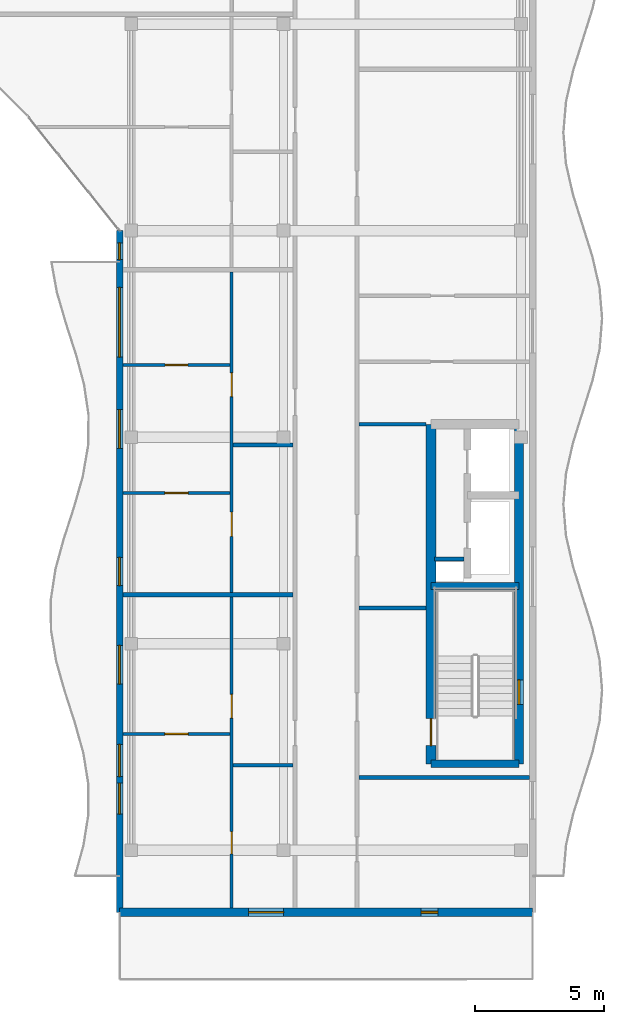
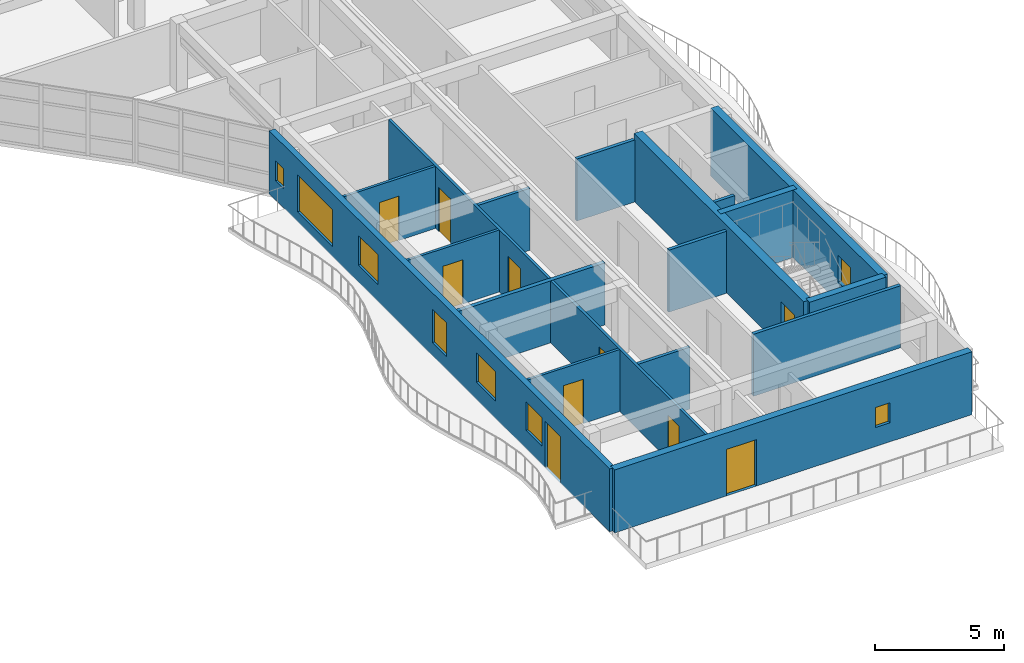
# One storey, part 19 of 30: 18 walls, 10 doors, 8 windows, 18 openings.
"""IFC4 building model written with IfcOpenShell, lengths in metres."""

from ifc_helpers import new_model, si_unit, direction, frame, frame_2d, origin, place, context, subcontext, project, spatial, rectangle, extrude, material, layer, layer_set, type_object, element, fill, save


model = new_model("IFC4")

# Units and contexts
model_context = context("Model", 3, precision=1e-05, world=origin(), true_north=direction((0.0, 1.0)))
body_context = subcontext(model_context, "Body", "Model", "MODEL_VIEW")
ifc_project = project(units=[si_unit("LENGTHUNIT", "METRE"), si_unit("AREAUNIT", "SQUARE_METRE"), si_unit("VOLUMEUNIT", "CUBIC_METRE"), si_unit("PLANEANGLEUNIT", "RADIAN"), si_unit("MASSUNIT", "GRAM", prefix="KILO")], contexts=[model_context])

# Site, building, storey
site_placement = place(None, origin())
site = spatial("IfcSite", under=ifc_project, at=site_placement, CompositionType="ELEMENT")
building_placement = place(site_placement, origin())
building = spatial("IfcBuilding", under=site, at=building_placement, Name="Keldmere Railside Commons", CompositionType="ELEMENT")
storey_placement = place(building_placement, frame((0.0, 0.0, 36.159912109375)))
storey = spatial("IfcBuildingStorey", under=building, at=storey_placement, Name="L11", CompositionType="ELEMENT", Elevation=36.159912109375)

# Wall
ifc_material_1 = material(Name="Acoustic Gypsum Board Partition", Category="gypsum")
ifc_layer_1 = layer(ifc_material_1, 0.179931640625, Name="Acoustic Demising Partition 180")
ifc_layer_set_1 = layer_set([ifc_layer_1], Name="Acoustic Gypsum Board Partition")
wall_type_1 = type_object("IfcWallType", Name="Acoustic Demising Partition 180", PredefinedType="PARTITIONING", material=ifc_layer_set_1)
wall_1_placement = place(storey_placement, frame((168.1298828125, 73.89990234375, 0.0), z_axis=(0.0, 0.0, 1.0), x_axis=(1.0, 0.0, 0.0)))
element("IfcWall", 1, at=wall_1_placement, inside=storey, type_object=wall_type_1, Name="IW-1 IW-L11-1861", PredefinedType="PARTITIONING", context=body_context, shape_type="SweptSolid", body=[
    extrude(rectangle(XDim=6.590087890625, YDim=0.179931640625, at=frame_2d((3.294921875, 0.0))), origin(), (0.0, 0.0, 1.0), 2.93505859375),
])

# Wall, openings, doors
ifc_layer_2 = layer(ifc_material_1, 0.1201171875, Name="Apartment Interior Partition 120")
ifc_layer_set_2 = layer_set([ifc_layer_2], Name="Acoustic Gypsum Board Partition")
wall_type_2 = type_object("IfcWallType", Name="Apartment Interior Partition 120", PredefinedType="PARTITIONING", material=ifc_layer_set_2)
wall_2_placement = place(storey_placement, frame((172.340087890625, 61.760009765625, 0.0), z_axis=(0.0, 0.0, 1.0), x_axis=(0.0, 1.0, 0.0)))
wall_2 = element("IfcWall", 2, at=wall_2_placement, inside=storey, type_object=wall_type_2, Name="IW-4 IW-L11-1864", PredefinedType="PARTITIONING", context=body_context, shape_type="SweptSolid", body=[
    extrude(rectangle(XDim=12.050048828125, YDim=0.1201171875, at=frame_2d((6.02490234375, 0.0))), origin(), (0.0, 0.0, 1.0), 2.93505859375),
])
opening_1_placement = place(wall_2_placement, frame((2.105224609375, 0.0, 0.0)))
opening_1 = element("IfcOpeningElement", 3, at=opening_1_placement, cuts=wall_2, Name="Opening ID-04", PredefinedType="OPENING", context=body_context, shape_type="SweptSolid", body=[
    extrude(rectangle(XDim=0.860107421875, YDim=2.10009765625, at=frame_2d((0.43017578125, 1.050048828125))), frame((0.0, 0.070068359375, 0.0), z_axis=(0.0, -1.0, 0.0), x_axis=(1.0, 0.0, 0.0)), (0.0, 0.0, 1.0), 0.14013671875),
])
opening_2_placement = place(wall_2_placement, frame((7.36279296875, 0.0, 0.0)))
opening_2 = element("IfcOpeningElement", 4, at=opening_2_placement, cuts=wall_2, Name="Opening ID-03", PredefinedType="OPENING", context=body_context, shape_type="SweptSolid", body=[
    extrude(rectangle(XDim=0.919921875, YDim=2.10009765625, at=frame_2d((0.4599609375, 1.050048828125))), frame((0.0, 0.070068359375, 0.0), z_axis=(0.0, -1.0, 0.0), x_axis=(1.0, 0.0, 0.0)), (0.0, 0.0, 1.0), 0.14013671875),
])
ifc_material_2 = material(Name="Engineered Oak Timber", Category="wood")
door_type_1 = type_object("IfcDoorType", Name="Apartment Bathroom Door 860x2100", OperationType="NOTDEFINED", PredefinedType="DOOR", material=ifc_material_2)
door_1_placement = place(opening_1_placement, origin())
door_1 = element("IfcDoor", 5, at=door_1_placement, inside=storey, type_object=door_type_1, Name="ID-04 IDR-L11-1701", OperationType="SINGLE_SWING_LEFT", OverallHeight=2.10009765625, OverallWidth=0.860107421875, PredefinedType="DOOR", context=body_context, shape_type="SweptSolid", body=[
    extrude(rectangle(XDim=0.860107421875, YDim=2.10009765625, at=frame_2d((0.43017578125, 1.050048828125))), frame((0.0, 0.02490234375, 0.0), z_axis=(0.0, -1.0, 0.0), x_axis=(1.0, 0.0, 0.0)), (0.0, 0.0, 1.0), 0.050048828125),
])
fill(opening_1, door_1)
door_type_2 = type_object("IfcDoorType", Name="Kitchen Pocket-Frame Swing Door 920x2100", OperationType="NOTDEFINED", PredefinedType="DOOR", material=ifc_material_2)
door_2_placement = place(opening_2_placement, origin())
door_2 = element("IfcDoor", 6, at=door_2_placement, inside=storey, type_object=door_type_2, Name="ID-03 IDR-L11-1702", OperationType="SINGLE_SWING_RIGHT", OverallHeight=2.10009765625, OverallWidth=0.919921875, PredefinedType="DOOR", context=body_context, shape_type="SweptSolid", body=[
    extrude(rectangle(XDim=0.919921875, YDim=2.10009765625, at=frame_2d((0.4599609375, 1.050048828125))), frame((0.0, 0.02490234375, 0.0), z_axis=(0.0, -1.0, 0.0), x_axis=(1.0, 0.0, 0.0)), (0.0, 0.0, 1.0), 0.050048828125),
])
fill(opening_2, door_2)

# Wall, opening, door
wall_3_placement = place(storey_placement, frame((168.1298828125, 68.510009765625, 0.0), z_axis=(0.0, 0.0, 1.0), x_axis=(1.0, 0.0, 0.0)))
wall_3 = element("IfcWall", 7, at=wall_3_placement, inside=storey, type_object=wall_type_2, Name="IW-4 IW-L11-1866", PredefinedType="PARTITIONING", context=body_context, shape_type="SweptSolid", body=[
    extrude(rectangle(XDim=4.150146484375, YDim=0.1201171875, at=frame_2d((2.0751953125, 0.0))), origin(), (0.0, 0.0, 1.0), 2.93505859375),
])
opening_3_placement = place(wall_3_placement, frame((1.625, 0.0, 0.0)))
opening_3 = element("IfcOpeningElement", 8, at=opening_3_placement, cuts=wall_3, Name="Opening ID-01", PredefinedType="OPENING", context=body_context, shape_type="SweptSolid", body=[
    extrude(rectangle(XDim=0.89990234375, YDim=2.10009765625, at=frame_2d((0.449951171875, 1.050048828125))), frame((0.0, 0.070068359375, 0.0), z_axis=(0.0, -1.0, 0.0), x_axis=(1.0, 0.0, 0.0)), (0.0, 0.0, 1.0), 0.14013671875),
])
door_type_3 = type_object("IfcDoorType", Name="Primary Bedroom Door 900x2100", OperationType="NOTDEFINED", PredefinedType="DOOR", material=ifc_material_2)
door_3_placement = place(opening_3_placement, origin())
door_3 = element("IfcDoor", 9, at=door_3_placement, inside=storey, type_object=door_type_3, Name="ID-01 IDR-L11-1704", OperationType="SINGLE_SWING_RIGHT", OverallHeight=2.10009765625, OverallWidth=0.89990234375, PredefinedType="DOOR", context=body_context, shape_type="SweptSolid", body=[
    extrude(rectangle(XDim=0.89990234375, YDim=2.10009765625, at=frame_2d((0.449951171875, 1.050048828125))), frame((0.0, 0.02490234375, 0.0), z_axis=(0.0, -1.0, 0.0), x_axis=(1.0, 0.0, 0.0)), (0.0, 0.0, 1.0), 0.050048828125),
])
fill(opening_3, door_3)

# Wall, openings, doors
wall_4_placement = place(storey_placement, frame((172.340087890625, 73.989990234375, 0.0), z_axis=(0.0, 0.0, 1.0), x_axis=(0.0, 1.0, 0.0)))
wall_4 = element("IfcWall", 10, at=wall_4_placement, inside=storey, type_object=wall_type_2, Name="IW-4 IW-L11-1867", PredefinedType="PARTITIONING", context=body_context, shape_type="SweptSolid", body=[
    extrude(rectangle(XDim=12.409912109375, YDim=0.1201171875, at=frame_2d((6.205078125, 0.0))), origin(), (0.0, 0.0, 1.0), 2.93505859375),
])
opening_4_placement = place(wall_4_placement, frame((2.169921875, 0.0, 0.0)))
opening_4 = element("IfcOpeningElement", 11, at=opening_4_placement, cuts=wall_4, Name="Opening ID-05", PredefinedType="OPENING", context=body_context, shape_type="SweptSolid", body=[
    extrude(rectangle(XDim=0.93994140625, YDim=2.10009765625, at=frame_2d((0.469970703125, 1.050048828125))), frame((0.0, 0.070068359375, 0.0), z_axis=(0.0, -1.0, 0.0), x_axis=(1.0, 0.0, 0.0)), (0.0, 0.0, 1.0), 0.14013671875),
])
opening_5_placement = place(wall_4_placement, frame((7.5859375, 0.0, 0.0)))
opening_5 = element("IfcOpeningElement", 12, at=opening_5_placement, cuts=wall_4, Name="Opening ID-03", PredefinedType="OPENING", context=body_context, shape_type="SweptSolid", body=[
    extrude(rectangle(XDim=0.919921875, YDim=2.10009765625, at=frame_2d((0.4599609375, 1.050048828125))), frame((0.0, 0.070068359375, 0.0), z_axis=(0.0, -1.0, 0.0), x_axis=(1.0, 0.0, 0.0)), (0.0, 0.0, 1.0), 0.14013671875),
])
door_type_4 = type_object("IfcDoorType", Name="Accessible Bathroom Door 940x2100", OperationType="NOTDEFINED", PredefinedType="DOOR", material=ifc_material_2)
door_4_placement = place(opening_4_placement, origin())
door_4 = element("IfcDoor", 13, at=door_4_placement, inside=storey, type_object=door_type_4, Name="ID-05 IDR-L11-1705", OperationType="SINGLE_SWING_LEFT", OverallHeight=2.10009765625, OverallWidth=0.93994140625, PredefinedType="DOOR", context=body_context, shape_type="SweptSolid", body=[
    extrude(rectangle(XDim=0.93994140625, YDim=2.10009765625, at=frame_2d((0.469970703125, 1.050048828125))), frame((0.0, 0.02490234375, 0.0), z_axis=(0.0, -1.0, 0.0), x_axis=(1.0, 0.0, 0.0)), (0.0, 0.0, 1.0), 0.050048828125),
])
fill(opening_4, door_4)
door_5_placement = place(opening_5_placement, origin())
door_5 = element("IfcDoor", 14, at=door_5_placement, inside=storey, type_object=door_type_2, Name="ID-03 IDR-L11-1706", OperationType="SINGLE_SWING_RIGHT", OverallHeight=2.10009765625, OverallWidth=0.919921875, PredefinedType="DOOR", context=body_context, shape_type="SweptSolid", body=[
    extrude(rectangle(XDim=0.919921875, YDim=2.10009765625, at=frame_2d((0.4599609375, 1.050048828125))), frame((0.0, 0.02490234375, 0.0), z_axis=(0.0, -1.0, 0.0), x_axis=(1.0, 0.0, 0.0)), (0.0, 0.0, 1.0), 0.050048828125),
])
fill(opening_5, door_5)

# Wall, opening, door
wall_5_placement = place(storey_placement, frame((168.1298828125, 77.840087890625, 0.0), z_axis=(0.0, 0.0, 1.0), x_axis=(1.0, 0.0, 0.0)))
wall_5 = element("IfcWall", 15, at=wall_5_placement, inside=storey, type_object=wall_type_2, Name="IW-4 IW-L11-1869", PredefinedType="PARTITIONING", context=body_context, shape_type="SweptSolid", body=[
    extrude(rectangle(XDim=4.150146484375, YDim=0.1201171875, at=frame_2d((2.0751953125, 0.0))), origin(), (0.0, 0.0, 1.0), 2.93505859375),
])
opening_6_placement = place(wall_5_placement, frame((1.625, 0.0, 0.0)))
opening_6 = element("IfcOpeningElement", 16, at=opening_6_placement, cuts=wall_5, Name="Opening ID-01", PredefinedType="OPENING", context=body_context, shape_type="SweptSolid", body=[
    extrude(rectangle(XDim=0.89990234375, YDim=2.10009765625, at=frame_2d((0.449951171875, 1.050048828125))), frame((0.0, 0.070068359375, 0.0), z_axis=(0.0, -1.0, 0.0), x_axis=(1.0, 0.0, 0.0)), (0.0, 0.0, 1.0), 0.14013671875),
])
door_6_placement = place(opening_6_placement, origin())
door_6 = element("IfcDoor", 17, at=door_6_placement, inside=storey, type_object=door_type_3, Name="ID-01 IDR-L11-1708", OperationType="SINGLE_SWING_RIGHT", OverallHeight=2.10009765625, OverallWidth=0.89990234375, PredefinedType="DOOR", context=body_context, shape_type="SweptSolid", body=[
    extrude(rectangle(XDim=0.89990234375, YDim=2.10009765625, at=frame_2d((0.449951171875, 1.050048828125))), frame((0.0, 0.02490234375, 0.0), z_axis=(0.0, -1.0, 0.0), x_axis=(1.0, 0.0, 0.0)), (0.0, 0.0, 1.0), 0.050048828125),
])
fill(opening_6, door_6)

wall_6_placement = place(storey_placement, frame((168.1298828125, 82.800048828125, 0.0), z_axis=(0.0, 0.0, 1.0), x_axis=(1.0, 0.0, 0.0)))
wall_6 = element("IfcWall", 18, at=wall_6_placement, inside=storey, type_object=wall_type_2, Name="IW-4 IW-L11-1870", PredefinedType="PARTITIONING", context=body_context, shape_type="SweptSolid", body=[
    extrude(rectangle(XDim=4.150146484375, YDim=0.1201171875, at=frame_2d((2.0751953125, 0.0))), origin(), (0.0, 0.0, 1.0), 2.93505859375),
])
opening_7_placement = place(wall_6_placement, frame((1.635009765625, 0.0, 0.0)))
opening_7 = element("IfcOpeningElement", 19, at=opening_7_placement, cuts=wall_6, Name="Opening ID-02", PredefinedType="OPENING", context=body_context, shape_type="SweptSolid", body=[
    extrude(rectangle(XDim=0.8798828125, YDim=2.10009765625, at=frame_2d((0.43994140625, 1.050048828125))), frame((0.0, 0.070068359375, 0.0), z_axis=(0.0, -1.0, 0.0), x_axis=(1.0, 0.0, 0.0)), (0.0, 0.0, 1.0), 0.14013671875),
])
door_type_5 = type_object("IfcDoorType", Name="Secondary Bedroom Door 880x2100", OperationType="NOTDEFINED", PredefinedType="DOOR", material=ifc_material_2)
door_7_placement = place(opening_7_placement, origin())
door_7 = element("IfcDoor", 20, at=door_7_placement, inside=storey, type_object=door_type_5, Name="ID-02 IDR-L11-1709", OperationType="SINGLE_SWING_LEFT", OverallHeight=2.10009765625, OverallWidth=0.8798828125, PredefinedType="DOOR", context=body_context, shape_type="SweptSolid", body=[
    extrude(rectangle(XDim=0.8798828125, YDim=2.10009765625, at=frame_2d((0.43994140625, 1.050048828125))), frame((0.0, 0.02490234375, 0.0), z_axis=(0.0, -1.0, 0.0), x_axis=(1.0, 0.0, 0.0)), (0.0, 0.0, 1.0), 0.050048828125),
])
fill(opening_7, door_7)

# Wall
ifc_material_3 = material(Name="Concrete H-35 (C35/45)", Category="concrete")
ifc_layer_3 = layer(ifc_material_3, 0.280029296875, Name="Core Shear Wall 280")
ifc_layer_set_3 = layer_set([ifc_layer_3], Name="Concrete H-35 (C35/45)")
wall_type_3 = type_object("IfcWallType", Name="Core Shear Wall 280", PredefinedType="SHEAR", material=ifc_layer_set_3)
wall_7_placement = place(storey_placement, frame((180.06005859375, 74.239990234375, 0.0), z_axis=(0.0, 0.0, 1.0), x_axis=(1.0, 0.0, 0.0)))
element("IfcWall", 21, at=wall_7_placement, inside=storey, type_object=wall_type_3, Name="CSW-2 COREAM-L11-0844", PredefinedType="SHEAR", context=body_context, shape_type="SweptSolid", body=[
    extrude(rectangle(XDim=3.409912109375, YDim=0.280029296875, at=frame_2d((1.705078125, 0.0))), origin(), (0.0, 0.0, 1.0), 3.2001953125),
])

# Wall, opening, door
ifc_material_4 = material(Name="Concrete H-40 (C40/50)", Category="concrete")
ifc_layer_4 = layer(ifc_material_4, 0.3798828125, Name="Core Shear Wall 380")
ifc_layer_set_4 = layer_set([ifc_layer_4], Name="Concrete H-40 (C40/50)")
wall_type_4 = type_object("IfcWallType", Name="Core Shear Wall 380", PredefinedType="SHEAR", material=ifc_layer_set_4)
wall_8_placement = place(storey_placement, frame((180.06005859375, 67.35009765625, 0.0), z_axis=(0.0, 0.0, 1.0), x_axis=(0.0, 1.0, 0.0)))
wall_8 = element("IfcWall", 22, at=wall_8_placement, inside=storey, type_object=wall_type_4, Name="CW-CORE COREAW-L11-0840", PredefinedType="SHEAR", context=body_context, shape_type="SweptSolid", body=[
    extrude(rectangle(XDim=13.14990234375, YDim=0.3798828125, at=frame_2d((6.574951171875, 0.0))), origin(), (0.0, 0.0, 1.0), 3.2001953125),
])
opening_8_placement = place(wall_8_placement, frame((0.699951171875, 0.0, 0.0)))
opening_8 = element("IfcOpeningElement", 23, at=opening_8_placement, cuts=wall_8, Name="Opening FD-1", PredefinedType="OPENING", context=body_context, shape_type="SweptSolid", body=[
    extrude(rectangle(XDim=1.050048828125, YDim=2.14990234375, at=frame_2d((0.52490234375, 1.074951171875))), frame((0.0, 0.199951171875, 0.0), z_axis=(0.0, -1.0, 0.0), x_axis=(1.0, 0.0, 0.0)), (0.0, 0.0, 1.0), 0.39990234375),
])
ifc_material_5 = material(Name="Steel F-24 (S235)", Category="steel")
door_type_6 = type_object("IfcDoorType", Name="Stair Core Fire Door 1050x2150", OperationType="NOTDEFINED", PredefinedType="DOOR", material=ifc_material_5)
door_8_placement = place(opening_8_placement, origin())
door_8 = element("IfcDoor", 24, at=door_8_placement, inside=storey, type_object=door_type_6, Name="FD-1 A1 L11", OperationType="SINGLE_SWING_LEFT", OverallHeight=2.14990234375, OverallWidth=1.050048828125, PredefinedType="DOOR", context=body_context, shape_type="SweptSolid", body=[
    extrude(rectangle(XDim=1.050048828125, YDim=2.14990234375, at=frame_2d((0.52490234375, 1.074951171875))), frame((0.0, 0.02490234375, 0.0), z_axis=(0.0, -1.0, 0.0), x_axis=(1.0, 0.0, 0.0)), (0.0, 0.0, 1.0), 0.050048828125),
])
fill(opening_8, door_8)

# Wall, openings, window, door
ifc_layer_5 = layer(ifc_material_3, 0.320068359375, Name="Exterior Shear Wall 320")
ifc_layer_set_5 = layer_set([ifc_layer_5], Name="Concrete H-35 (C35/45)")
wall_type_5 = type_object("IfcWallType", Name="Exterior Shear Wall 320", PredefinedType="SHEAR", material=ifc_layer_set_5)
wall_9_placement = place(storey_placement, frame((184.0, 61.60009765625, 0.0), z_axis=(0.0, 0.0, 1.0), x_axis=(-1.0, 0.0, 0.0)))
wall_9 = element("IfcWall", 25, at=wall_9_placement, inside=storey, type_object=wall_type_5, Name="ESW-2 EXTA-L11-0951", PredefinedType="SHEAR", context=body_context, shape_type="SweptSolid", body=[
    extrude(rectangle(XDim=16.0, YDim=0.320068359375, at=frame_2d((8.0, 0.0))), origin(), (0.0, 0.0, 1.0), 2.97998046875),
])
opening_9_placement = place(wall_9_placement, frame((9.64990234375, 0.0, 0.0)))
opening_9 = element("IfcOpeningElement", 26, at=opening_9_placement, cuts=wall_9, Name="Opening BD-03", PredefinedType="OPENING", context=body_context, shape_type="SweptSolid", body=[
    extrude(rectangle(XDim=1.35009765625, YDim=2.199951171875, at=frame_2d((0.675048828125, 1.10009765625))), frame((0.0, 0.169921875, 0.0), z_axis=(0.0, -1.0, 0.0), x_axis=(1.0, 0.0, 0.0)), (0.0, 0.0, 1.0), 0.340087890625),
])
opening_10_placement = place(wall_9_placement, frame((3.675048828125, 0.0, 0.89990234375)))
opening_10 = element("IfcOpeningElement", 27, at=opening_10_placement, cuts=wall_9, Name="Opening WN-15", PredefinedType="OPENING", context=body_context, shape_type="SweptSolid", body=[
    extrude(rectangle(XDim=0.64990234375, YDim=0.949951171875, at=frame_2d((0.324951171875, 0.47509765625))), frame((0.0, 0.169921875, 0.0), z_axis=(0.0, -1.0, 0.0), x_axis=(1.0, 0.0, 0.0)), (0.0, 0.0, 1.0), 0.340087890625),
])
ifc_material_6 = material(Name="Low-E Insulated Double Glazing", Category="glass")
window_type_1 = type_object("IfcWindowType", Name="Exterior Bathroom Frosted Window 650x950", PartitioningType="SINGLE_PANEL", PredefinedType="WINDOW", material=ifc_material_6)
window_1_placement = place(opening_10_placement, origin())
window_1 = element("IfcWindow", 28, at=window_1_placement, inside=storey, type_object=window_type_1, Name="WN-15 WIN-L11-0772", OverallHeight=0.949951171875, OverallWidth=0.64990234375, PartitioningType="SINGLE_PANEL", PredefinedType="WINDOW", context=body_context, shape_type="SweptSolid", body=[
    extrude(rectangle(XDim=0.64990234375, YDim=0.949951171875, at=frame_2d((0.324951171875, 0.47509765625))), frame((0.0, 0.030029296875, 0.0), z_axis=(0.0, -1.0, 0.0), x_axis=(1.0, 0.0, 0.0)), (0.0, 0.0, 1.0), 0.06005859375),
])
fill(opening_10, window_1)
ifc_material_7 = material(Name="Thermally Broken Aluminium", Category="aluminium")
door_type_7 = type_object("IfcDoorType", Name="Planted Roof-Terrace Lounge Door 1350x2200", OperationType="NOTDEFINED", PredefinedType="DOOR", material=ifc_material_7)
door_9_placement = place(opening_9_placement, origin())
door_9 = element("IfcDoor", 29, at=door_9_placement, inside=storey, type_object=door_type_7, Name="BD-03 DR-L11-0279", OperationType="SINGLE_SWING_LEFT", OverallHeight=2.199951171875, OverallWidth=1.35009765625, PredefinedType="DOOR", context=body_context, shape_type="SweptSolid", body=[
    extrude(rectangle(XDim=1.35009765625, YDim=2.199951171875, at=frame_2d((0.675048828125, 1.10009765625))), frame((0.0, 0.02490234375, 0.0), z_axis=(0.0, -1.0, 0.0), x_axis=(1.0, 0.0, 0.0)), (0.0, 0.0, 1.0), 0.050048828125),
])
fill(opening_9, door_9)

# Wall
ifc_layer_6 = layer(ifc_material_3, 0.300048828125, Name="Interior Shear Wall 300")
ifc_layer_set_6 = layer_set([ifc_layer_6], Name="Concrete H-35 (C35/45)")
wall_type_6 = type_object("IfcWallType", Name="Interior Shear Wall 300", PredefinedType="SHEAR", material=ifc_layer_set_6)
wall_10_placement = place(storey_placement, frame((183.469970703125, 67.35009765625, 0.0), z_axis=(0.0, 0.0, 1.0), x_axis=(-1.0, 0.0, 0.0)))
element("IfcWall", 30, at=wall_10_placement, inside=storey, type_object=wall_type_6, Name="ISW-2 COREAS-L11-0843", PredefinedType="SHEAR", context=body_context, shape_type="SweptSolid", body=[
    extrude(rectangle(XDim=3.409912109375, YDim=0.300048828125, at=frame_2d((1.705078125, 0.0))), origin(), (0.0, 0.0, 1.0), 3.2001953125),
])

# Wall, opening, window
ifc_layer_7 = layer(ifc_material_3, 0.340087890625, Name="Interior Shear Wall 340")
ifc_layer_set_7 = layer_set([ifc_layer_7], Name="Concrete H-35 (C35/45)")
wall_type_7 = type_object("IfcWallType", Name="Interior Shear Wall 340", PredefinedType="SHEAR", material=ifc_layer_set_7)
wall_11_placement = place(storey_placement, frame((183.469970703125, 80.5, 0.0), z_axis=(0.0, 0.0, 1.0), x_axis=(0.0, -1.0, 0.0)))
wall_11 = element("IfcWall", 31, at=wall_11_placement, inside=storey, type_object=wall_type_7, Name="ISW-1 COREAE-L11-0842", PredefinedType="SHEAR", context=body_context, shape_type="SweptSolid", body=[
    extrude(rectangle(XDim=13.14990234375, YDim=0.340087890625, at=frame_2d((6.574951171875, 0.0))), origin(), (0.0, 0.0, 1.0), 3.2001953125),
])
opening_11_placement = place(wall_11_placement, frame((9.89990234375, 0.0, 0.969970703125)))
opening_11 = element("IfcOpeningElement", 32, at=opening_11_placement, cuts=wall_11, Name="Opening WN-17", PredefinedType="OPENING", context=body_context, shape_type="SweptSolid", body=[
    extrude(rectangle(XDim=0.949951171875, YDim=1.25, at=frame_2d((0.47509765625, 0.625))), frame((0.0, 0.179931640625, 0.0), z_axis=(0.0, -1.0, 0.0), x_axis=(1.0, 0.0, 0.0)), (0.0, 0.0, 1.0), 0.360107421875),
])
window_type_2 = type_object("IfcWindowType", Name="Stair Core Natural Smoke-Vent Window 950x1250", PartitioningType="SINGLE_PANEL", PredefinedType="WINDOW", material=ifc_material_6)
window_2_placement = place(opening_11_placement, origin())
window_2 = element("IfcWindow", 33, at=window_2_placement, inside=storey, type_object=window_type_2, Name="WN-17 WIN-L11-0567", OverallHeight=1.25, OverallWidth=0.949951171875, PartitioningType="SINGLE_PANEL", PredefinedType="WINDOW", context=body_context, shape_type="SweptSolid", body=[
    extrude(rectangle(XDim=0.949951171875, YDim=1.25, at=frame_2d((0.47509765625, 0.625))), frame((0.0, 0.030029296875, 0.0), z_axis=(0.0, -1.0, 0.0), x_axis=(1.0, 0.0, 0.0)), (0.0, 0.0, 1.0), 0.06005859375),
])
fill(opening_11, window_2)

# Walls
ifc_layer_8 = layer(ifc_material_1, 0.14990234375, Name="Lobby Rated Partition 150")
ifc_layer_set_8 = layer_set([ifc_layer_8], Name="Acoustic Gypsum Board Partition")
wall_type_8 = type_object("IfcWallType", Name="Lobby Rated Partition 150", PredefinedType="PARTITIONING", material=ifc_layer_set_8)
wall_12_placement = place(storey_placement, frame((180.199951171875, 75.280029296875, 0.0), z_axis=(0.0, 0.0, 1.0), x_axis=(1.0, 0.0, 0.0)))
element("IfcWall", 34, at=wall_12_placement, inside=storey, type_object=wall_type_8, Name="IW-3 RSRNA-L11-0847", PredefinedType="PARTITIONING", context=body_context, shape_type="SweptSolid", body=[
    extrude(rectangle(XDim=1.130126953125, YDim=0.14990234375, at=frame_2d((0.56494140625, 0.0))), origin(), (0.0, 0.0, 1.0), 2.9501953125),
])
wall_13_placement = place(storey_placement, frame((177.280029296875, 66.820068359375, 0.0), z_axis=(0.0, 0.0, 1.0), x_axis=(1.0, 0.0, 0.0)))
element("IfcWall", 35, at=wall_13_placement, inside=storey, type_object=wall_type_8, Name="IW-3 IW-L11-1850", PredefinedType="PARTITIONING", context=body_context, shape_type="SweptSolid", body=[
    extrude(rectangle(XDim=6.590087890625, YDim=0.14990234375, at=frame_2d((3.294921875, 0.0))), origin(), (0.0, 0.0, 1.0), 2.93505859375),
])
for number, where, z_axis, x_axis, name in (
    (36, (177.280029296875, 73.3798828125, 0.0), (0.0, 0.0, 1.0), (1.0, 0.0, 0.0), "IW-3 IW-L11-1851"),
    (37, (177.280029296875, 80.5, 0.0), (0.0, 0.0, 1.0), (1.0, 0.0, 0.0), "IW-3 IW-L11-1852"),
):
    element("IfcWall", number, at=place(storey_placement, frame(where, z_axis=z_axis, x_axis=x_axis)), inside=storey, type_object=wall_type_8, Name=name, PredefinedType="PARTITIONING", context=body_context, shape_type="SweptSolid", body=[
        extrude(rectangle(XDim=2.590087890625, YDim=0.14990234375, at=frame_2d((1.294921875, 0.0))), origin(), (0.0, 0.0, 1.0), 2.93505859375),
    ])

# Wall, openings, door, windows
ifc_material_8 = material(Name="Terracotta Brick Masonry", Category="masonry")
ifc_layer_9 = layer(ifc_material_8, 0.260009765625, Name="Terracotta Cavity Wall 260")
ifc_layer_set_9 = layer_set([ifc_layer_9], Name="Terracotta Brick Masonry")
wall_type_9 = type_object("IfcWallType", Name="Terracotta Cavity Wall 260", PredefinedType="SOLIDWALL", material=ifc_layer_set_9)
wall_14_placement = place(storey_placement, frame((168.0, 61.60009765625, 0.0), z_axis=(0.0, 0.0, 1.0), x_axis=(0.0, 1.0, 0.0)))
wall_14 = element("IfcWall", 38, at=wall_14_placement, inside=storey, type_object=wall_type_9, Name="EW-1 EXTA-L11-0956", PredefinedType="SOLIDWALL", context=body_context, shape_type="SweptSolid", body=[
    extrude(rectangle(XDim=26.39990234375, YDim=0.260009765625, at=frame_2d((13.199951171875, 0.0))), origin(), (0.0, 0.0, 1.0), 2.97998046875),
])
opening_12_placement = place(wall_14_placement, frame((3.800048828125, 0.0, 0.0)))
opening_12 = element("IfcOpeningElement", 39, at=opening_12_placement, cuts=wall_14, Name="Opening BD-01", PredefinedType="OPENING", context=body_context, shape_type="SweptSolid", body=[
    extrude(rectangle(XDim=1.199951171875, YDim=2.199951171875, at=frame_2d((0.60009765625, 1.10009765625))), frame((0.0, 0.139892578125, 0.0), z_axis=(0.0, -1.0, 0.0), x_axis=(1.0, 0.0, 0.0)), (0.0, 0.0, 1.0), 0.280029296875),
])
opening_13_placement = place(wall_14_placement, frame((5.25, 0.0, 0.8701171875)))
opening_13 = element("IfcOpeningElement", 40, at=opening_13_placement, cuts=wall_14, Name="Opening WN-09", PredefinedType="OPENING", context=body_context, shape_type="SweptSolid", body=[
    extrude(rectangle(XDim=1.25, YDim=1.35009765625, at=frame_2d((0.625, 0.675048828125))), frame((0.0, 0.139892578125, 0.0), z_axis=(0.0, -1.0, 0.0), x_axis=(1.0, 0.0, 0.0)), (0.0, 0.0, 1.0), 0.280029296875),
])
opening_14_placement = place(wall_14_placement, frame((12.64990234375, 0.0, 0.6201171875)))
opening_14 = element("IfcOpeningElement", 41, at=opening_14_placement, cuts=wall_14, Name="Opening WN-16", PredefinedType="OPENING", context=body_context, shape_type="SweptSolid", body=[
    extrude(rectangle(XDim=1.10009765625, YDim=1.60009765625, at=frame_2d((0.550048828125, 0.800048828125))), frame((0.0, 0.139892578125, 0.0), z_axis=(0.0, -1.0, 0.0), x_axis=(1.0, 0.0, 0.0)), (0.0, 0.0, 1.0), 0.280029296875),
])
opening_15_placement = place(wall_14_placement, frame((21.5, 0.0, 0.469970703125)))
opening_15 = element("IfcOpeningElement", 42, at=opening_15_placement, cuts=wall_14, Name="Opening WN-19", PredefinedType="OPENING", context=body_context, shape_type="SweptSolid", body=[
    extrude(rectangle(XDim=2.699951171875, YDim=1.75, at=frame_2d((1.35009765625, 0.875))), frame((0.0, 0.139892578125, 0.0), z_axis=(0.0, -1.0, 0.0), x_axis=(1.0, 0.0, 0.0)), (0.0, 0.0, 1.0), 0.280029296875),
])
opening_16_placement = place(wall_14_placement, frame((8.8349609375, 0.0, 0.820068359375)))
opening_16 = element("IfcOpeningElement", 43, at=opening_16_placement, cuts=wall_14, Name="Opening WN-06", PredefinedType="OPENING", context=body_context, shape_type="SweptSolid", body=[
    extrude(rectangle(XDim=1.5, YDim=1.39990234375, at=frame_2d((0.75, 0.699951171875))), frame((0.0, 0.139892578125, 0.0), z_axis=(0.0, -1.0, 0.0), x_axis=(1.0, 0.0, 0.0)), (0.0, 0.0, 1.0), 0.280029296875),
])
opening_17_placement = place(wall_14_placement, frame((17.969970703125, 0.0, 0.820068359375)))
opening_17 = element("IfcOpeningElement", 44, at=opening_17_placement, cuts=wall_14, Name="Opening WN-06", PredefinedType="OPENING", context=body_context, shape_type="SweptSolid", body=[
    extrude(rectangle(XDim=1.5, YDim=1.39990234375, at=frame_2d((0.75, 0.699951171875))), frame((0.0, 0.139892578125, 0.0), z_axis=(0.0, -1.0, 0.0), x_axis=(1.0, 0.0, 0.0)), (0.0, 0.0, 1.0), 0.280029296875),
])
opening_18_placement = place(wall_14_placement, frame((25.27490234375, 0.0, 0.89990234375)))
opening_18 = element("IfcOpeningElement", 45, at=opening_18_placement, cuts=wall_14, Name="Opening WN-15", PredefinedType="OPENING", context=body_context, shape_type="SweptSolid", body=[
    extrude(rectangle(XDim=0.64990234375, YDim=0.949951171875, at=frame_2d((0.324951171875, 0.47509765625))), frame((0.0, 0.139892578125, 0.0), z_axis=(0.0, -1.0, 0.0), x_axis=(1.0, 0.0, 0.0)), (0.0, 0.0, 1.0), 0.280029296875),
])
door_type_8 = type_object("IfcDoorType", Name="Apartment Living Wave-Balcony Glazed Door 1200x2200", OperationType="NOTDEFINED", PredefinedType="DOOR", material=ifc_material_7)
door_10_placement = place(opening_12_placement, origin())
door_10 = element("IfcDoor", 46, at=door_10_placement, inside=storey, type_object=door_type_8, Name="BD-01 DR-L11-0284", OperationType="SINGLE_SWING_RIGHT", OverallHeight=2.199951171875, OverallWidth=1.199951171875, PredefinedType="DOOR", context=body_context, shape_type="SweptSolid", body=[
    extrude(rectangle(XDim=1.199951171875, YDim=2.199951171875, at=frame_2d((0.60009765625, 1.10009765625))), frame((0.0, 0.02490234375, 0.0), z_axis=(0.0, -1.0, 0.0), x_axis=(1.0, 0.0, 0.0)), (0.0, 0.0, 1.0), 0.050048828125),
])
fill(opening_12, door_10)
window_type_3 = type_object("IfcWindowType", Name="Corridor End Daylight Window 1100x1600", PartitioningType="SINGLE_PANEL", PredefinedType="WINDOW", material=ifc_material_6)
window_3_placement = place(opening_14_placement, origin())
window_3 = element("IfcWindow", 47, at=window_3_placement, inside=storey, type_object=window_type_3, Name="WN-16 WIN-L11-0785", OverallHeight=1.60009765625, OverallWidth=1.10009765625, PartitioningType="SINGLE_PANEL", PredefinedType="WINDOW", context=body_context, shape_type="SweptSolid", body=[
    extrude(rectangle(XDim=1.10009765625, YDim=1.60009765625, at=frame_2d((0.550048828125, 0.800048828125))), frame((0.0, 0.030029296875, 0.0), z_axis=(0.0, -1.0, 0.0), x_axis=(1.0, 0.0, 0.0)), (0.0, 0.0, 1.0), 0.06005859375),
])
fill(opening_14, window_3)
window_4_placement = place(opening_18_placement, origin())
window_4 = element("IfcWindow", 48, at=window_4_placement, inside=storey, type_object=window_type_1, Name="WN-15 WIN-L11-9084", OverallHeight=0.949951171875, OverallWidth=0.64990234375, PartitioningType="SINGLE_PANEL", PredefinedType="WINDOW", context=body_context, shape_type="SweptSolid", body=[
    extrude(rectangle(XDim=0.64990234375, YDim=0.949951171875, at=frame_2d((0.324951171875, 0.47509765625))), frame((0.0, 0.030029296875, 0.0), z_axis=(0.0, -1.0, 0.0), x_axis=(1.0, 0.0, 0.0)), (0.0, 0.0, 1.0), 0.06005859375),
])
fill(opening_18, window_4)
window_type_4 = type_object("IfcWindowType", Name="Primary Bedroom North Window 1500x1400", PartitioningType="SINGLE_PANEL", PredefinedType="WINDOW", material=ifc_material_6)
window_5_placement = place(opening_16_placement, origin())
window_5 = element("IfcWindow", 49, at=window_5_placement, inside=storey, type_object=window_type_4, Name="WN-06 WIN-L11-9082", OverallHeight=1.39990234375, OverallWidth=1.5, PartitioningType="SINGLE_PANEL", PredefinedType="WINDOW", context=body_context, shape_type="SweptSolid", body=[
    extrude(rectangle(XDim=1.5, YDim=1.39990234375, at=frame_2d((0.75, 0.699951171875))), frame((0.0, 0.030029296875, 0.0), z_axis=(0.0, -1.0, 0.0), x_axis=(1.0, 0.0, 0.0)), (0.0, 0.0, 1.0), 0.06005859375),
])
fill(opening_16, window_5)
window_6_placement = place(opening_17_placement, origin())
window_6 = element("IfcWindow", 50, at=window_6_placement, inside=storey, type_object=window_type_4, Name="WN-06 WIN-L11-9083", OverallHeight=1.39990234375, OverallWidth=1.5, PartitioningType="SINGLE_PANEL", PredefinedType="WINDOW", context=body_context, shape_type="SweptSolid", body=[
    extrude(rectangle(XDim=1.5, YDim=1.39990234375, at=frame_2d((0.75, 0.699951171875))), frame((0.0, 0.030029296875, 0.0), z_axis=(0.0, -1.0, 0.0), x_axis=(1.0, 0.0, 0.0)), (0.0, 0.0, 1.0), 0.06005859375),
])
fill(opening_17, window_6)
window_type_5 = type_object("IfcWindowType", Name="Resident Lounge Panorama Window 2700x1750", PartitioningType="SINGLE_PANEL", PredefinedType="WINDOW", material=ifc_material_6)
window_7_placement = place(opening_15_placement, origin())
window_7 = element("IfcWindow", 51, at=window_7_placement, inside=storey, type_object=window_type_5, Name="WN-19 WIN-L11-0786", OverallHeight=1.75, OverallWidth=2.699951171875, PartitioningType="SINGLE_PANEL", PredefinedType="WINDOW", context=body_context, shape_type="SweptSolid", body=[
    extrude(rectangle(XDim=2.699951171875, YDim=1.75, at=frame_2d((1.35009765625, 0.875))), frame((0.0, 0.030029296875, 0.0), z_axis=(0.0, -1.0, 0.0), x_axis=(1.0, 0.0, 0.0)), (0.0, 0.0, 1.0), 0.06005859375),
])
fill(opening_15, window_7)
window_type_6 = type_object("IfcWindowType", Name="Secondary Bedroom Window 1250x1350", PartitioningType="SINGLE_PANEL", PredefinedType="WINDOW", material=ifc_material_6)
window_8_placement = place(opening_13_placement, origin())
window_8 = element("IfcWindow", 52, at=window_8_placement, inside=storey, type_object=window_type_6, Name="WN-09 WIN-L11-0784", OverallHeight=1.35009765625, OverallWidth=1.25, PartitioningType="SINGLE_PANEL", PredefinedType="WINDOW", context=body_context, shape_type="SweptSolid", body=[
    extrude(rectangle(XDim=1.25, YDim=1.35009765625, at=frame_2d((0.625, 0.675048828125))), frame((0.0, 0.030029296875, 0.0), z_axis=(0.0, -1.0, 0.0), x_axis=(1.0, 0.0, 0.0)), (0.0, 0.0, 1.0), 0.06005859375),
])
fill(opening_13, window_8)

# Walls
ifc_layer_10 = layer(ifc_material_1, 0.139892578125, Name="Wet-Room Sanitary Partition 140")
ifc_layer_set_10 = layer_set([ifc_layer_10], Name="Acoustic Gypsum Board Partition")
wall_type_10 = type_object("IfcWallType", Name="Wet-Room Sanitary Partition 140", PredefinedType="PARTITIONING", material=ifc_layer_set_10)
for number, where, z_axis, x_axis, name in (
    (53, (172.39990234375, 67.300048828125, 0.0), (0.0, 0.0, 1.0), (1.0, 0.0, 0.0), "IW-5 IW-L11-1865"),
    (54, (172.39990234375, 79.699951171875, 0.0), (0.0, 0.0, 1.0), (1.0, 0.0, 0.0), "IW-5 IW-L11-1868"),
):
    element("IfcWall", number, at=place(storey_placement, frame(where, z_axis=z_axis, x_axis=x_axis)), inside=storey, type_object=wall_type_10, Name=name, PredefinedType="PARTITIONING", context=body_context, shape_type="SweptSolid", body=[
        extrude(rectangle(XDim=2.320068359375, YDim=0.139892578125, at=frame_2d((1.16015625, 0.0))), origin(), (0.0, 0.0, 1.0), 2.93505859375),
    ])

save(model, "model.ifc")
